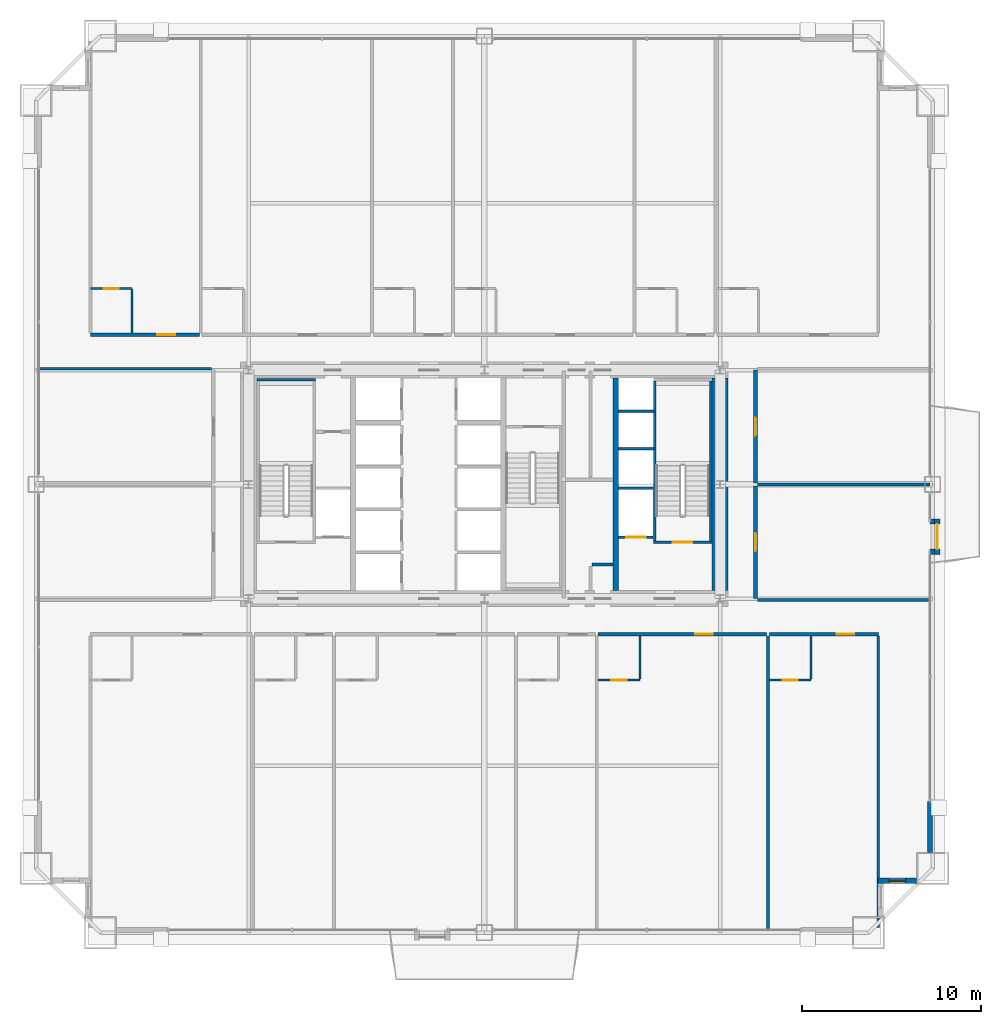
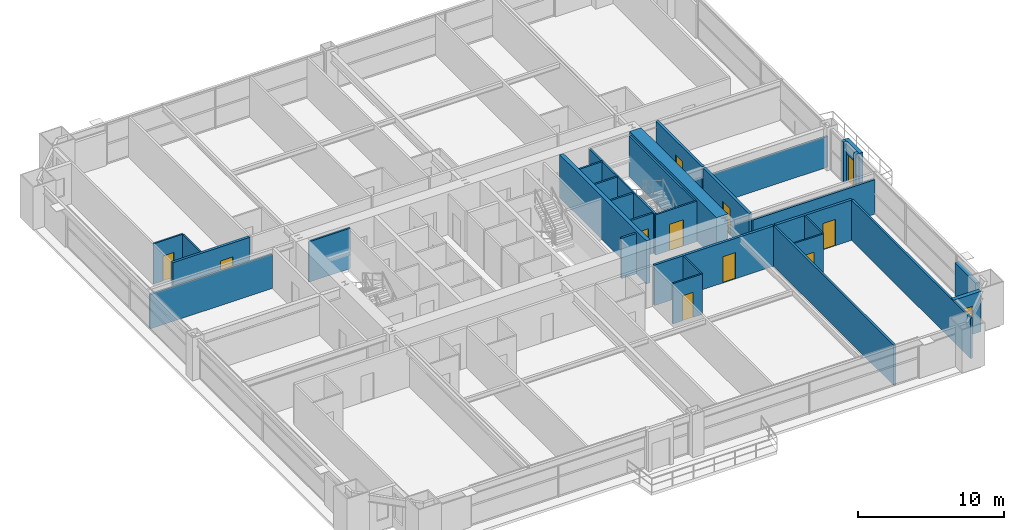
# One storey, part 40 of 43: 32 walls, 11 doors, 1 window, 12 openings.
"""IFC4 building model written with IfcOpenShell, lengths in metres."""

from ifc_helpers import new_model, si_unit, direction, frame, frame_2d, origin, place, context, subcontext, project, spatial, rectangle, extrude, source, transform, mapped, material, layer, layer_set, type_object, element, fill, save


model = new_model("IFC4")

# Units and contexts
model_context = context("Model", 3, precision=1e-05, world=origin(), true_north=direction((0.0, 1.0)))
body_context = subcontext(model_context, "Body", "Model", "MODEL_VIEW")
ifc_project = project(units=[si_unit("LENGTHUNIT", "METRE"), si_unit("AREAUNIT", "SQUARE_METRE"), si_unit("VOLUMEUNIT", "CUBIC_METRE"), si_unit("PLANEANGLEUNIT", "RADIAN"), si_unit("MASSUNIT", "GRAM", prefix="KILO"), si_unit("THERMODYNAMICTEMPERATUREUNIT", "KELVIN"), si_unit("POWERUNIT", "WATT")], contexts=[model_context])

# Site, building, storey
site_placement = place(None, origin())
site = spatial("IfcSite", under=ifc_project, at=site_placement, CompositionType="ELEMENT")
building_placement = place(site_placement, origin())
building = spatial("IfcBuilding", under=site, at=building_placement, Name="Yuzanri Waterfront Tower", CompositionType="ELEMENT")
storey_placement = place(building_placement, frame((0.0, 0.0, 71.199951171875)))
storey = spatial("IfcBuildingStorey", under=building, at=storey_placement, Name="L18", CompositionType="ELEMENT", Elevation=71.199951171875)

# Wall, opening, door
ifc_material_1 = material(Name="Moisture-Resistant Gypsum Stud Wall", Category="gypsum")
ifc_layer_1 = layer(ifc_material_1, 0.1201171875)
ifc_layer_set_1 = layer_set([ifc_layer_1], Name="Moisture-Resistant Gypsum Stud Wall")
wall_type_1 = type_object("IfcWallType", Name="Bathroom and Kitchen Wet Partition 120", PredefinedType="PARTITIONING", material=ifc_layer_set_1)
wall_1_placement = place(storey_placement, frame((43.3740234375, 14.840087890625, 0.0), z_axis=(0.0, 0.0, 1.0), x_axis=(1.0, 0.0, 0.0)))
wall_1 = element("IfcWall", 1, at=wall_1_placement, inside=storey, type_object=wall_type_1, Name="L18 Partition UW-L18-S5-BS", PredefinedType="PARTITIONING", context=body_context, shape_type="SweptSolid", body=[
    extrude(rectangle(XDim=2.330078125, YDim=0.1201171875, at=frame_2d((1.1650390625, 0.0))), origin(), (0.0, 0.0, 1.0), 3.380126953125),
])
opening_1_placement = place(wall_1_placement, frame((0.739990234375, 0.0, 0.0)))
opening_1 = element("IfcOpeningElement", 2, at=opening_1_placement, cuts=wall_1, Name="Opening ID-0850", PredefinedType="OPENING", context=body_context, shape_type="SweptSolid", body=[
    extrude(rectangle(XDim=0.85009765625, YDim=2.10009765625, at=frame_2d((0.425048828125, 1.050048828125))), frame((0.0, 0.074951171875, 0.0), z_axis=(0.0, -1.0, 0.0), x_axis=(1.0, 0.0, 0.0)), (0.0, 0.0, 1.0), 0.14990234375),
])
ifc_material_2 = material(Name="Moisture-Resistant Lacquered Timber", Category="wood")
door_type_1 = type_object("IfcDoorType", Name="En-Suite Bathroom and Kitchen Swing Door 850x2100", OperationType="NOTDEFINED", PredefinedType="DOOR", material=ifc_material_2)
shared_shape_1 = source(origin(), body_context, "Body", "SweptSolid", [
    extrude(rectangle(XDim=0.85009765625, YDim=2.10009765625, at=frame_2d((0.425048828125, 1.050048828125))), frame((0.0, 0.02490234375, 0.0), z_axis=(0.0, -1.0, 0.0), x_axis=(1.0, 0.0, 0.0)), (0.0, 0.0, 1.0), 0.050048828125),
])
door_1_placement = place(opening_1_placement, origin())
door_1 = element("IfcDoor", 3, at=door_1_placement, inside=storey, type_object=door_type_1, Name="L18 Guest En-Suite Door", OperationType="SINGLE_SWING_LEFT", OverallHeight=2.10009765625, OverallWidth=0.85009765625, PredefinedType="DOOR", context=body_context, shape_type="MappedRepresentation", body=[
    mapped(shared_shape_1, transform((0.0, 0.0, 0.0), scale=1.0)),
])
fill(opening_1, door_1)

wall_2_placement = place(storey_placement, frame((52.962890625, 14.840087890625, 0.0), z_axis=(0.0, 0.0, 1.0), x_axis=(1.0, 0.0, 0.0)))
wall_2 = element("IfcWall", 4, at=wall_2_placement, inside=storey, type_object=wall_type_1, Name="L18 Partition UW-L18-S6-BS", PredefinedType="PARTITIONING", context=body_context, shape_type="SweptSolid", body=[
    extrude(rectangle(XDim=2.330078125, YDim=0.1201171875, at=frame_2d((1.1650390625, 0.0))), origin(), (0.0, 0.0, 1.0), 3.380126953125),
])
opening_2_placement = place(wall_2_placement, frame((0.739990234375, 0.0, 0.0)))
opening_2 = element("IfcOpeningElement", 5, at=opening_2_placement, cuts=wall_2, Name="Opening ID-0850", PredefinedType="OPENING", context=body_context, shape_type="SweptSolid", body=[
    extrude(rectangle(XDim=0.85009765625, YDim=2.10009765625, at=frame_2d((0.425048828125, 1.050048828125))), frame((0.0, 0.074951171875, 0.0), z_axis=(0.0, -1.0, 0.0), x_axis=(1.0, 0.0, 0.0)), (0.0, 0.0, 1.0), 0.14990234375),
])
door_2_placement = place(opening_2_placement, origin())
door_2 = element("IfcDoor", 6, at=door_2_placement, inside=storey, type_object=door_type_1, Name="L18 Guest En-Suite Door", OperationType="SINGLE_SWING_LEFT", OverallHeight=2.10009765625, OverallWidth=0.85009765625, PredefinedType="DOOR", context=body_context, shape_type="MappedRepresentation", body=[
    mapped(shared_shape_1, transform((0.0, 0.0, 0.0), scale=1.0)),
])
fill(opening_2, door_2)

wall_3_placement = place(storey_placement, frame((14.93994140625, 36.760009765625, 0.0), z_axis=(0.0, 0.0, 1.0), x_axis=(1.0, 0.0, 0.0)))
wall_3 = element("IfcWall", 7, at=wall_3_placement, inside=storey, type_object=wall_type_1, Name="L18 Partition UW-L18-N1-BN", PredefinedType="PARTITIONING", context=body_context, shape_type="SweptSolid", body=[
    extrude(rectangle(XDim=2.330078125, YDim=0.1201171875, at=frame_2d((1.1650390625, 0.0))), origin(), (0.0, 0.0, 1.0), 3.380126953125),
])
opening_3_placement = place(wall_3_placement, frame((0.739990234375, 0.0, 0.0)))
opening_3 = element("IfcOpeningElement", 8, at=opening_3_placement, cuts=wall_3, Name="Opening ID-0850", PredefinedType="OPENING", context=body_context, shape_type="SweptSolid", body=[
    extrude(rectangle(XDim=0.85009765625, YDim=2.10009765625, at=frame_2d((0.425048828125, 1.050048828125))), frame((0.0, 0.074951171875, 0.0), z_axis=(0.0, -1.0, 0.0), x_axis=(1.0, 0.0, 0.0)), (0.0, 0.0, 1.0), 0.14990234375),
])
door_3_placement = place(opening_3_placement, origin())
door_3 = element("IfcDoor", 9, at=door_3_placement, inside=storey, type_object=door_type_1, Name="L18 Guest En-Suite Door", OperationType="SINGLE_SWING_LEFT", OverallHeight=2.10009765625, OverallWidth=0.85009765625, PredefinedType="DOOR", context=body_context, shape_type="MappedRepresentation", body=[
    mapped(shared_shape_1, transform((0.0, 0.0, 0.0), scale=1.0)),
])
fill(opening_3, door_3)

# Wall, opening, window
ifc_material_3 = material(Name="Honed Chongqing Dark Basalt Stone", Category="masonry")
ifc_layer_2 = layer(ifc_material_3, 0.300048828125)
ifc_layer_set_2 = layer_set([ifc_layer_2], Name="Honed Chongqing Dark Basalt Stone")
wall_type_2 = type_object("IfcWallType", Name="Bronze Rainscreen Insulated Spandrel Portal Wall 300", PredefinedType="SOLIDWALL", material=ifc_layer_set_2)
wall_4_placement = place(storey_placement, frame((59.050048828125, 3.60009765625, 0.0), z_axis=(0.0, 0.0, 1.0), x_axis=(1.0, 0.0, 0.0)))
wall_4 = element("IfcWall", 10, at=wall_4_placement, inside=storey, type_object=wall_type_2, Name="L18 Notched Corner Masonry Wall SE-X", PredefinedType="SOLIDWALL", context=body_context, shape_type="SweptSolid", body=[
    extrude(rectangle(XDim=2.14990234375, YDim=0.300048828125, at=frame_2d((1.074951171875, 0.0))), origin(), (0.0, 0.0, 1.0), 3.380126953125),
])
opening_4_placement = place(wall_4_placement, frame((0.625, 0.0, 0.85009765625)))
opening_4 = element("IfcOpeningElement", 11, at=opening_4_placement, cuts=wall_4, Name="Opening WN-05", PredefinedType="OPENING", context=body_context, shape_type="SweptSolid", body=[
    extrude(rectangle(XDim=0.89990234375, YDim=1.5, at=frame_2d((0.449951171875, 0.75))), frame((0.0, 0.1650390625, 0.0), z_axis=(0.0, -1.0, 0.0), x_axis=(1.0, 0.0, 0.0)), (0.0, 0.0, 1.0), 0.329833984375),
])
ifc_material_4 = material(Name="Double-Silver Low-E Insulated Glass", Category="glass")
window_type = type_object("IfcWindowType", Name="Anodized Bronze Service and Stairwell Smoke-Vent Window 900x1500", PartitioningType="SINGLE_PANEL", PredefinedType="WINDOW", material=ifc_material_4)
shared_shape_2 = source(origin(), body_context, "Body", "SweptSolid", [
    extrude(rectangle(XDim=0.89990234375, YDim=1.5, at=frame_2d((0.449951171875, 0.75))), frame((0.0, 0.030029296875, 0.0), z_axis=(0.0, -1.0, 0.0), x_axis=(1.0, 0.0, 0.0)), (0.0, 0.0, 1.0), 0.06005859375),
])
window_placement = place(opening_4_placement, origin())
window = element("IfcWindow", 12, at=window_placement, inside=storey, type_object=window_type, Name="L18 Notched Corner Window SE-X", OverallHeight=1.5, OverallWidth=0.89990234375, PartitioningType="SINGLE_PANEL", PredefinedType="WINDOW", context=body_context, shape_type="MappedRepresentation", body=[
    mapped(shared_shape_2, transform((0.0, 0.0, 0.0), scale=1.0)),
])
fill(opening_4, window)

# Wall, opening, door
wall_5_placement = place(storey_placement, frame((62.35009765625, 21.875, 0.0), z_axis=(0.0, 0.0, 1.0), x_axis=(0.0, 1.0, 0.0)))
wall_5 = element("IfcWall", 13, at=wall_5_placement, inside=storey, type_object=wall_type_2, Name="L18 E Terrace Door Portal Wall", PredefinedType="SOLIDWALL", context=body_context, shape_type="SweptSolid", body=[
    extrude(rectangle(XDim=2.0, YDim=0.300048828125, at=frame_2d((1.0, 0.0))), origin(), (0.0, 0.0, 1.0), 3.380126953125),
])
opening_5_placement = place(wall_5_placement, frame((0.300048828125, 0.0, 0.0)))
opening_5 = element("IfcOpeningElement", 14, at=opening_5_placement, cuts=wall_5, Name="Opening TD-1400", PredefinedType="OPENING", context=body_context, shape_type="SweptSolid", body=[
    extrude(rectangle(XDim=1.39990234375, YDim=2.300048828125, at=frame_2d((0.699951171875, 1.14990234375))), frame((0.0, 0.1650390625, 0.0), z_axis=(0.0, -1.0, 0.0), x_axis=(1.0, 0.0, 0.0)), (0.0, 0.0, 1.0), 0.329833984375),
])
ifc_material_5 = material(Name="Anodized Architectural Bronze", Category="metal")
door_type_2 = type_object("IfcDoorType", Name="Anodized Bronze Balcony and Terrace Glazed Double Door 1400x2300", OperationType="NOTDEFINED", PredefinedType="DOOR", material=ifc_material_5)
shared_shape_3 = source(origin(), body_context, "Body", "SweptSolid", [
    extrude(rectangle(XDim=1.39990234375, YDim=2.300048828125, at=frame_2d((0.699951171875, 1.14990234375))), frame((0.0, 0.02490234375, 0.0), z_axis=(0.0, -1.0, 0.0), x_axis=(1.0, 0.0, 0.0)), (0.0, 0.0, 1.0), 0.050048828125),
])
door_4_placement = place(opening_5_placement, origin())
door_4 = element("IfcDoor", 15, at=door_4_placement, inside=storey, type_object=door_type_2, Name="L18 E Terrace Glazed Double Door", OperationType="DOUBLE_DOOR_SINGLE_SWING", OverallHeight=2.300048828125, OverallWidth=1.39990234375, PredefinedType="DOOR", context=body_context, shape_type="MappedRepresentation", body=[
    mapped(shared_shape_3, transform((0.0, 0.0, 0.0), scale=1.0)),
])
fill(opening_5, door_4)

ifc_material_6 = material(Name="Concrete C40", Category="concrete")
ifc_layer_3 = layer(ifc_material_6, 0.139892578125)
ifc_layer_set_3 = layer_set([ifc_layer_3], Name="Concrete C40")
wall_type_3 = type_object("IfcWallType", Name="Core Stair Liner and Hoistway Shaft Wall 140", PredefinedType="SOLIDWALL", material=ifc_layer_set_3)
wall_6_placement = place(storey_placement, frame((44.52001953125, 22.830078125, 0.0), z_axis=(0.0, 0.0, 1.0), x_axis=(1.0, 0.0, 0.0)))
wall_6 = element("IfcWall", 16, at=wall_6_placement, inside=storey, type_object=wall_type_3, Name="L18 Lift FL-02 Front Shaft Wall", PredefinedType="SOLIDWALL", context=body_context, shape_type="SweptSolid", body=[
    extrude(rectangle(XDim=1.919921875, YDim=0.139892578125, at=frame_2d((0.9599609375, 0.0))), origin(), (0.0, 0.0, 1.0), 3.380126953125),
])
opening_6_placement = place(wall_6_placement, frame((0.409912109375, 0.0, 0.0)))
opening_6 = element("IfcOpeningElement", 17, at=opening_6_placement, cuts=wall_6, Name="Opening LD-FL-02", PredefinedType="OPENING", context=body_context, shape_type="SweptSolid", body=[
    extrude(rectangle(XDim=1.10009765625, YDim=2.199951171875, at=frame_2d((0.550048828125, 1.10009765625))), frame((0.0, 0.0849609375, 0.0), z_axis=(0.0, -1.0, 0.0), x_axis=(1.0, 0.0, 0.0)), (0.0, 0.0, 1.0), 0.169677734375),
])
ifc_material_7 = material(Name="Brushed Bronze and Stainless Steel Cab", Category="steel")
door_type_3 = type_object("IfcDoorType", Name="Center-Parting Bronze Lift Landing Sliding Door 1100x2200", OperationType="NOTDEFINED", PredefinedType="DOOR", material=ifc_material_7)
shared_shape_4 = source(origin(), body_context, "Body", "SweptSolid", [
    extrude(rectangle(XDim=1.10009765625, YDim=2.199951171875, at=frame_2d((0.550048828125, 1.10009765625))), frame((0.0, 0.02490234375, 0.0), z_axis=(0.0, -1.0, 0.0), x_axis=(1.0, 0.0, 0.0)), (0.0, 0.0, 1.0), 0.050048828125),
])
door_5_placement = place(opening_6_placement, origin())
door_5 = element("IfcDoor", 18, at=door_5_placement, inside=storey, type_object=door_type_3, Name="L18 FL-02 Lift Landing Sliding Door", OperationType="SLIDING_TO_RIGHT", OverallHeight=2.199951171875, OverallWidth=1.10009765625, PredefinedType="DOOR", context=body_context, shape_type="MappedRepresentation", body=[
    mapped(shared_shape_4, transform((0.0, 0.0, 0.0), scale=1.0)),
])
fill(opening_6, door_5)

wall_7_placement = place(storey_placement, frame((46.4599609375, 22.570068359375, 0.0), z_axis=(0.0, 0.0, 1.0), x_axis=(1.0, 0.0, 0.0)))
wall_7 = element("IfcWall", 19, at=wall_7_placement, inside=storey, type_object=wall_type_3, Name="L18 Shaft Wall STW-L18-ST-02-S", PredefinedType="SOLIDWALL", context=body_context, shape_type="SweptSolid", body=[
    extrude(rectangle(XDim=3.280029296875, YDim=0.139892578125, at=frame_2d((1.64013671875, 0.0))), origin(), (0.0, 0.0, 1.0), 3.380126953125),
])
opening_7_placement = place(wall_7_placement, frame((1.090087890625, 0.0, 0.0)))
opening_7 = element("IfcOpeningElement", 20, at=opening_7_placement, cuts=wall_7, Name="Opening FD-1100", PredefinedType="OPENING", context=body_context, shape_type="SweptSolid", body=[
    extrude(rectangle(XDim=1.10009765625, YDim=2.199951171875, at=frame_2d((0.550048828125, 1.10009765625))), frame((0.0, 0.0849609375, 0.0), z_axis=(0.0, -1.0, 0.0), x_axis=(1.0, 0.0, 0.0)), (0.0, 0.0, 1.0), 0.169677734375),
])
ifc_material_8 = material(Name="Painted Galvanized Fire Steel", Category="steel")
door_type_4 = type_object("IfcDoorType", Name="Smoke-Proof Stair and Lobby Fire Door 1100x2200", OperationType="NOTDEFINED", PredefinedType="DOOR", material=ifc_material_8)
shared_shape_5 = source(origin(), body_context, "Body", "SweptSolid", [
    extrude(rectangle(XDim=1.10009765625, YDim=2.199951171875, at=frame_2d((0.550048828125, 1.10009765625))), frame((0.0, 0.02490234375, 0.0), z_axis=(0.0, -1.0, 0.0), x_axis=(1.0, 0.0, 0.0)), (0.0, 0.0, 1.0), 0.050048828125),
])
door_6_placement = place(opening_7_placement, origin())
door_6 = element("IfcDoor", 21, at=door_6_placement, inside=storey, type_object=door_type_4, Name="L18 Stair ST-02 Fire Door", OperationType="SINGLE_SWING_LEFT", OverallHeight=2.199951171875, OverallWidth=1.10009765625, PredefinedType="DOOR", context=body_context, shape_type="MappedRepresentation", body=[
    mapped(shared_shape_5, transform((0.0, 0.0, 0.0), scale=1.0)),
])
fill(opening_7, door_6)

ifc_material_9 = material(Name="Autoclaved Aerated Concrete Blockwork", Category="masonry")
ifc_layer_4 = layer(ifc_material_9, 0.199951171875)
ifc_layer_set_4 = layer_set([ifc_layer_4], Name="Autoclaved Aerated Concrete Blockwork")
wall_type_4 = type_object("IfcWallType", Name="Corridor and Unit Party Fire Wall 200", PredefinedType="PARTITIONING", material=ifc_layer_set_4)
wall_8_placement = place(storey_placement, frame((43.3740234375, 17.419921875, 0.0), z_axis=(0.0, 0.0, 1.0), x_axis=(1.0, 0.0, 0.0)))
wall_8 = element("IfcWall", 22, at=wall_8_placement, inside=storey, type_object=wall_type_4, Name="L18 Partition UW-L18-S5-CN", PredefinedType="PARTITIONING", context=body_context, shape_type="SweptSolid", body=[
    extrude(rectangle(XDim=9.428955078125, YDim=0.199951171875, at=frame_2d((4.71435546875, 0.0))), origin(), (0.0, 0.0, 1.0), 3.380126953125),
])
opening_8_placement = place(wall_8_placement, frame((5.4189453125, 0.0, 0.0)))
opening_8 = element("IfcOpeningElement", 23, at=opening_8_placement, cuts=wall_8, Name="Opening FD-1000", PredefinedType="OPENING", context=body_context, shape_type="SweptSolid", body=[
    extrude(rectangle(XDim=1.0, YDim=2.199951171875, at=frame_2d((0.5, 1.10009765625))), frame((0.0, 0.11474609375, 0.0), z_axis=(0.0, -1.0, 0.0), x_axis=(1.0, 0.0, 0.0)), (0.0, 0.0, 1.0), 0.229736328125),
])
ifc_material_10 = material(Name="Engineered Oak Fire-Rated Timber", Category="wood")
door_type_5 = type_object("IfcDoorType", Name="Guestroom and Apartment Entrance Fire Door 1000x2200", OperationType="NOTDEFINED", PredefinedType="DOOR", material=ifc_material_10)
shared_shape_6 = source(origin(), body_context, "Body", "SweptSolid", [
    extrude(rectangle(XDim=1.0, YDim=2.199951171875, at=frame_2d((0.5, 1.10009765625))), frame((0.0, 0.02490234375, 0.0), z_axis=(0.0, -1.0, 0.0), x_axis=(1.0, 0.0, 0.0)), (0.0, 0.0, 1.0), 0.050048828125),
])
door_7_placement = place(opening_8_placement, origin())
door_7 = element("IfcDoor", 24, at=door_7_placement, inside=storey, type_object=door_type_5, Name="L18 Junior Riverview Suite Entrance Door", OperationType="SINGLE_SWING_RIGHT", OverallHeight=2.199951171875, OverallWidth=1.0, PredefinedType="DOOR", context=body_context, shape_type="MappedRepresentation", body=[
    mapped(shared_shape_6, transform((0.0, 0.0, 0.0), scale=1.0)),
])
fill(opening_8, door_7)

wall_9_placement = place(storey_placement, frame((52.962890625, 17.419921875, 0.0), z_axis=(0.0, 0.0, 1.0), x_axis=(1.0, 0.0, 0.0)))
wall_9 = element("IfcWall", 25, at=wall_9_placement, inside=storey, type_object=wall_type_4, Name="L18 Partition UW-L18-S6-CN", PredefinedType="PARTITIONING", context=body_context, shape_type="SweptSolid", body=[
    extrude(rectangle(XDim=6.09716796875, YDim=0.199951171875, at=frame_2d((3.048583984375, 0.0))), origin(), (0.0, 0.0, 1.0), 3.380126953125),
])
opening_9_placement = place(wall_9_placement, frame((3.7529296875, 0.0, 0.0)))
opening_9 = element("IfcOpeningElement", 26, at=opening_9_placement, cuts=wall_9, Name="Opening FD-1000", PredefinedType="OPENING", context=body_context, shape_type="SweptSolid", body=[
    extrude(rectangle(XDim=1.0, YDim=2.199951171875, at=frame_2d((0.5, 1.10009765625))), frame((0.0, 0.11474609375, 0.0), z_axis=(0.0, -1.0, 0.0), x_axis=(1.0, 0.0, 0.0)), (0.0, 0.0, 1.0), 0.229736328125),
])
door_8_placement = place(opening_9_placement, origin())
door_8 = element("IfcDoor", 27, at=door_8_placement, inside=storey, type_object=door_type_5, Name="L18 Junior Riverview Suite Entrance Door", OperationType="SINGLE_SWING_RIGHT", OverallHeight=2.199951171875, OverallWidth=1.0, PredefinedType="DOOR", context=body_context, shape_type="MappedRepresentation", body=[
    mapped(shared_shape_6, transform((0.0, 0.0, 0.0), scale=1.0)),
])
fill(opening_9, door_8)

wall_10_placement = place(storey_placement, frame((14.93994140625, 34.179931640625, 0.0), z_axis=(0.0, 0.0, 1.0), x_axis=(1.0, 0.0, 0.0)))
wall_10 = element("IfcWall", 28, at=wall_10_placement, inside=storey, type_object=wall_type_4, Name="L18 Partition UW-L18-N1-CS", PredefinedType="PARTITIONING", context=body_context, shape_type="SweptSolid", body=[
    extrude(rectangle(XDim=6.09716796875, YDim=0.199951171875, at=frame_2d((3.048583984375, 0.0))), origin(), (0.0, 0.0, 1.0), 3.380126953125),
])
opening_10_placement = place(wall_10_placement, frame((3.75390625, 0.0, 0.0)))
opening_10 = element("IfcOpeningElement", 29, at=opening_10_placement, cuts=wall_10, Name="Opening FD-1000", PredefinedType="OPENING", context=body_context, shape_type="SweptSolid", body=[
    extrude(rectangle(XDim=1.0, YDim=2.199951171875, at=frame_2d((0.5, 1.10009765625))), frame((0.0, 0.11474609375, 0.0), z_axis=(0.0, -1.0, 0.0), x_axis=(1.0, 0.0, 0.0)), (0.0, 0.0, 1.0), 0.229736328125),
])
door_9_placement = place(opening_10_placement, origin())
door_9 = element("IfcDoor", 30, at=door_9_placement, inside=storey, type_object=door_type_5, Name="L18 Superior Cityview Junior Suite Entrance Door", OperationType="SINGLE_SWING_RIGHT", OverallHeight=2.199951171875, OverallWidth=1.0, PredefinedType="DOOR", context=body_context, shape_type="MappedRepresentation", body=[
    mapped(shared_shape_6, transform((0.0, 0.0, 0.0), scale=1.0)),
])
fill(opening_10, door_9)

wall_11_placement = place(storey_placement, frame((52.179931640625, 19.409912109375, 0.0), z_axis=(0.0, 0.0, 1.0), x_axis=(0.0, 1.0, 0.0)))
wall_11 = element("IfcWall", 31, at=wall_11_placement, inside=storey, type_object=wall_type_4, Name="L18 Partition UW-L18-E1-CW", PredefinedType="PARTITIONING", context=body_context, shape_type="SweptSolid", body=[
    extrude(rectangle(XDim=6.31005859375, YDim=0.199951171875, at=frame_2d((3.155029296875, 0.0))), origin(), (0.0, 0.0, 1.0), 3.380126953125),
])
opening_11_placement = place(wall_11_placement, frame((2.655029296875, 0.0, 0.0)))
opening_11 = element("IfcOpeningElement", 32, at=opening_11_placement, cuts=wall_11, Name="Opening FD-1000", PredefinedType="OPENING", context=body_context, shape_type="SweptSolid", body=[
    extrude(rectangle(XDim=1.0, YDim=2.199951171875, at=frame_2d((0.5, 1.10009765625))), frame((0.0, 0.11474609375, 0.0), z_axis=(0.0, -1.0, 0.0), x_axis=(1.0, 0.0, 0.0)), (0.0, 0.0, 1.0), 0.229736328125),
])
door_10_placement = place(opening_11_placement, origin())
door_10 = element("IfcDoor", 33, at=door_10_placement, inside=storey, type_object=door_type_5, Name="L18 Wellness Gym Studio Entrance Door", OperationType="SINGLE_SWING_RIGHT", OverallHeight=2.199951171875, OverallWidth=1.0, PredefinedType="DOOR", context=body_context, shape_type="MappedRepresentation", body=[
    mapped(shared_shape_6, transform((0.0, 0.0, 0.0), scale=1.0)),
])
fill(opening_11, door_10)

wall_12_placement = place(storey_placement, frame((52.179931640625, 25.8798828125, 0.0), z_axis=(0.0, 0.0, 1.0), x_axis=(0.0, 1.0, 0.0)))
wall_12 = element("IfcWall", 34, at=wall_12_placement, inside=storey, type_object=wall_type_4, Name="L18 Partition UW-L18-E2-CW", PredefinedType="PARTITIONING", context=body_context, shape_type="SweptSolid", body=[
    extrude(rectangle(XDim=6.31005859375, YDim=0.199951171875, at=frame_2d((3.155029296875, 0.0))), origin(), (0.0, 0.0, 1.0), 3.380126953125),
])
opening_12_placement = place(wall_12_placement, frame((2.655029296875, 0.0, 0.0)))
opening_12 = element("IfcOpeningElement", 35, at=opening_12_placement, cuts=wall_12, Name="Opening FD-1000", PredefinedType="OPENING", context=body_context, shape_type="SweptSolid", body=[
    extrude(rectangle(XDim=1.0, YDim=2.199951171875, at=frame_2d((0.5, 1.10009765625))), frame((0.0, 0.11474609375, 0.0), z_axis=(0.0, -1.0, 0.0), x_axis=(1.0, 0.0, 0.0)), (0.0, 0.0, 1.0), 0.229736328125),
])
door_11_placement = place(opening_12_placement, origin())
door_11 = element("IfcDoor", 36, at=door_11_placement, inside=storey, type_object=door_type_5, Name="L18 Pilates Gym Studio Entrance Door", OperationType="SINGLE_SWING_LEFT", OverallHeight=2.199951171875, OverallWidth=1.0, PredefinedType="DOOR", context=body_context, shape_type="MappedRepresentation", body=[
    mapped(shared_shape_6, transform((0.0, 0.0, 0.0), scale=1.0)),
])
fill(opening_12, door_11)

# Walls
ifc_material_11 = material(Name="Concrete C60", Category="concrete")
ifc_layer_5 = layer(ifc_material_11, 0.89990234375)
ifc_layer_set_5 = layer_set([ifc_layer_5], Name="Concrete C60")
wall_type_5 = type_object("IfcWallType", Name="Concrete C60 Lower Zone Core Shear Wall 900", PredefinedType="SHEAR", material=ifc_layer_set_5)
shared_shape_7 = source(origin(), body_context, "Body", "SweptSolid", [
    extrude(rectangle(XDim=11.89990234375, YDim=0.89990234375, at=frame_2d((5.949951171875, 0.0))), origin(), (0.0, 0.0, 1.0), 3.60009765625),
])
wall_13_placement = place(storey_placement, frame((50.199951171875, 19.85009765625, 0.0), z_axis=(0.0, 0.0, 1.0), x_axis=(0.0, 1.0, 0.0)))
element("IfcWall", 37, at=wall_13_placement, inside=storey, type_object=wall_type_5, Name="L18 Core East Shear Wall", PredefinedType="SHEAR", context=body_context, shape_type="MappedRepresentation", body=[
    mapped(shared_shape_7, transform((0.0, 0.0, 0.0), scale=1.0)),
])
ifc_material_12 = material(Name="Concrete C50", Category="concrete")
ifc_layer_6 = layer(ifc_material_12, 0.300048828125)
ifc_layer_set_6 = layer_set([ifc_layer_6], Name="Concrete C50")
wall_type_6 = type_object("IfcWallType", Name="Concrete C50 Internal Core Shaft Structural Wall 300", PredefinedType="SOLIDWALL", material=ifc_layer_set_6)
shared_shape_8 = source(origin(), body_context, "Body", "SweptSolid", [
    extrude(rectangle(XDim=11.89990234375, YDim=0.300048828125, at=frame_2d((5.949951171875, 0.0))), origin(), (0.0, 0.0, 1.0), 3.60009765625),
])
wall_14_placement = place(storey_placement, frame((44.35009765625, 19.85009765625, 0.0), z_axis=(0.0, 0.0, 1.0), x_axis=(0.0, 1.0, 0.0)))
element("IfcWall", 38, at=wall_14_placement, inside=storey, type_object=wall_type_6, Name="L18 Core Internal Structural Web Wall 3", PredefinedType="SOLIDWALL", context=body_context, shape_type="MappedRepresentation", body=[
    mapped(shared_shape_8, transform((0.0, 0.0, 0.0), scale=1.0)),
])
shared_shape_9 = source(origin(), body_context, "Body", "SweptSolid", [
    extrude(rectangle(XDim=2.85009765625, YDim=0.300048828125, at=frame_2d((1.425048828125, 0.0))), origin(), (0.0, 0.0, 1.0), 2.775146484375),
])
wall_15_placement = place(storey_placement, frame((61.949951171875, 5.199951171875, 0.0), z_axis=(0.0, 0.0, 1.0), x_axis=(0.0, 1.0, 0.0)))
element("IfcWall", 39, at=wall_15_placement, inside=storey, type_object=wall_type_2, Name="L18 E Left Braced Masonry Shoulder", PredefinedType="SOLIDWALL", context=body_context, shape_type="MappedRepresentation", body=[
    mapped(shared_shape_9, transform((0.0, 0.0, 0.0), scale=1.0)),
])
shared_shape_10 = source(origin(), body_context, "Body", "SweptSolid", [
    extrude(rectangle(XDim=0.25, YDim=0.300048828125, at=frame_2d((0.125, 0.0))), origin(), (0.0, 0.0, 1.0), 3.380126953125),
])
for number, where, z_axis, x_axis, name in (
    (40, (61.949951171875, 22.02490234375, 0.0), (0.0, 0.0, 1.0), (1.0, 0.0, 0.0), "L18 E Terrace Portal Left Return"),
    (41, (62.199951171875, 23.72509765625, 0.0), (0.0, 0.0, 1.0), (-1.0, 0.0, 0.0), "L18 E Terrace Portal Right Return"),
):
    element("IfcWall", number, at=place(storey_placement, frame(where, z_axis=z_axis, x_axis=x_axis)), inside=storey, type_object=wall_type_2, Name=name, PredefinedType="SOLIDWALL", context=body_context, shape_type="MappedRepresentation", body=[
        mapped(shared_shape_10, transform((0.0, 0.0, 0.0), scale=1.0)),
    ])
shared_shape_11 = source(origin(), body_context, "Body", "SweptSolid", [
    extrude(rectangle(XDim=1.919921875, YDim=0.139892578125, at=frame_2d((0.9599609375, 0.0))), origin(), (0.0, 0.0, 1.0), 3.380126953125),
])
wall_16_placement = place(storey_placement, frame((44.52001953125, 25.570068359375, 0.0), z_axis=(0.0, 0.0, 1.0), x_axis=(1.0, 0.0, 0.0)))
element("IfcWall", 42, at=wall_16_placement, inside=storey, type_object=wall_type_3, Name="L18 Lift FL-02 Back Shaft Wall", PredefinedType="SOLIDWALL", context=body_context, shape_type="MappedRepresentation", body=[
    mapped(shared_shape_11, transform((0.0, 0.0, 0.0), scale=1.0)),
])
shared_shape_12 = source(origin(), body_context, "Body", "SweptSolid", [
    extrude(rectangle(XDim=2.0, YDim=0.139892578125, at=frame_2d((1.0, 0.0))), origin(), (0.0, 0.0, 1.0), 3.380126953125),
])
for number, where, z_axis, x_axis, name in (
    (43, (44.5, 27.800048828125, 0.0), (0.0, 0.0, 1.0), (1.0, 0.0, 0.0), "L18 Lift PL-09 Divider Wall"),
    (44, (44.5, 29.89990234375, 0.0), (0.0, 0.0, 1.0), (1.0, 0.0, 0.0), "L18 Lift PL-10 Divider Wall"),
):
    element("IfcWall", number, at=place(storey_placement, frame(where, z_axis=z_axis, x_axis=x_axis)), inside=storey, type_object=wall_type_3, Name=name, PredefinedType="SOLIDWALL", context=body_context, shape_type="MappedRepresentation", body=[
        mapped(shared_shape_12, transform((0.0, 0.0, 0.0), scale=1.0)),
    ])
ifc_material_13 = material(Name="Gypsum Fireboard Acoustic Stud Wall", Category="gypsum")
ifc_layer_7 = layer(ifc_material_13, 0.159912109375)
ifc_layer_set_7 = layer_set([ifc_layer_7], Name="Gypsum Fireboard Acoustic Stud Wall")
wall_type_7 = type_object("IfcWallType", Name="Acoustic Suite Demising Partition 160", PredefinedType="PARTITIONING", material=ifc_layer_set_7)
shared_shape_13 = source(origin(), body_context, "Body", "SweptSolid", [
    extrude(rectangle(XDim=9.669921875, YDim=0.159912109375, at=frame_2d((4.8349609375, 0.0))), origin(), (0.0, 0.0, 1.0), 2.574951171875),
])
wall_17_placement = place(storey_placement, frame((52.280029296875, 25.800048828125, 0.0), z_axis=(0.0, 0.0, 1.0), x_axis=(1.0, 0.0, 0.0)))
element("IfcWall", 45, at=wall_17_placement, inside=storey, type_object=wall_type_7, Name="L18-E1 Wing Party Wall", PredefinedType="PARTITIONING", context=body_context, shape_type="MappedRepresentation", body=[
    mapped(shared_shape_13, transform((0.0, 0.0, 0.0), scale=1.0)),
])
shared_shape_14 = source(origin(), body_context, "Body", "SweptSolid", [
    extrude(rectangle(XDim=9.669921875, YDim=0.159912109375, at=frame_2d((4.8349609375, 0.0))), origin(), (0.0, 0.0, 1.0), 2.875),
])
for number, where, z_axis, x_axis, name in (
    (46, (12.050048828125, 32.27001953125, 0.0), (0.0, 0.0, 1.0), (1.0, 0.0, 0.0), "L18-W2 Wing North End Wall"),
    (47, (52.280029296875, 19.330078125, 0.0), (0.0, 0.0, 1.0), (1.0, 0.0, 0.0), "L18-E1 Wing South End Wall"),
):
    element("IfcWall", number, at=place(storey_placement, frame(where, z_axis=z_axis, x_axis=x_axis)), inside=storey, type_object=wall_type_7, Name=name, PredefinedType="PARTITIONING", context=body_context, shape_type="MappedRepresentation", body=[
        mapped(shared_shape_14, transform((0.0, 0.0, 0.0), scale=1.0)),
    ])
shared_shape_15 = source(origin(), body_context, "Body", "SweptSolid", [
    extrude(rectangle(XDim=3.280029296875, YDim=0.139892578125, at=frame_2d((1.64013671875, 0.0))), origin(), (0.0, 0.0, 1.0), 3.380126953125),
])
wall_18_placement = place(storey_placement, frame((24.260009765625, 31.64990234375, 0.0), z_axis=(0.0, 0.0, 1.0), x_axis=(1.0, 0.0, 0.0)))
element("IfcWall", 48, at=wall_18_placement, inside=storey, type_object=wall_type_3, Name="L18 Stair ST-01 North Shaft Wall", PredefinedType="SOLIDWALL", context=body_context, shape_type="MappedRepresentation", body=[
    mapped(shared_shape_15, transform((0.0, 0.0, 0.0), scale=1.0)),
])
shared_shape_16 = source(origin(), body_context, "Body", "SweptSolid", [
    extrude(rectangle(XDim=8.940185546875, YDim=0.139892578125, at=frame_2d((4.47021484375, 0.0))), origin(), (0.0, 0.0, 1.0), 3.380126953125),
])
for number, where, z_axis, x_axis, name in (
    (49, (46.530029296875, 22.639892578125, 0.0), (0.0, 0.0, 1.0), (0.0, 1.0, 0.0), "L18 Stair ST-02 West Shaft Wall"),
    (50, (49.669921875, 22.639892578125, 0.0), (0.0, 0.0, 1.0), (0.0, 1.0, 0.0), "L18 Stair ST-02 East Shaft Wall"),
):
    element("IfcWall", number, at=place(storey_placement, frame(where, z_axis=z_axis, x_axis=x_axis)), inside=storey, type_object=wall_type_3, Name=name, PredefinedType="SOLIDWALL", context=body_context, shape_type="MappedRepresentation", body=[
        mapped(shared_shape_16, transform((0.0, 0.0, 0.0), scale=1.0)),
    ])
shared_shape_17 = source(origin(), body_context, "Body", "SweptSolid", [
    extrude(rectangle(XDim=1.169921875, YDim=0.159912109375, at=frame_2d((0.5849609375, 0.0))), origin(), (0.0, 0.0, 1.0), 3.380126953125),
])
wall_19_placement = place(storey_placement, frame((43.030029296875, 21.320068359375, 0.0), z_axis=(0.0, 0.0, 1.0), x_axis=(1.0, 0.0, 0.0)))
element("IfcWall", 51, at=wall_19_placement, inside=storey, type_object=wall_type_7, Name="L18 East Wet Riser North Wall", PredefinedType="PARTITIONING", context=body_context, shape_type="MappedRepresentation", body=[
    mapped(shared_shape_17, transform((0.0, 0.0, 0.0), scale=1.0)),
])
shared_shape_18 = source(origin(), body_context, "Body", "SweptSolid", [
    extrude(rectangle(XDim=16.469970703125, YDim=0.159912109375, at=frame_2d((8.23486328125, 0.0))), origin(), (0.0, 0.0, 1.0), 3.380126953125),
])
wall_20_placement = place(storey_placement, frame((52.883056640625, 0.85009765625, 0.0), z_axis=(0.0, 0.0, 1.0), x_axis=(0.0, 1.0, 0.0)))
element("IfcWall", 52, at=wall_20_placement, inside=storey, type_object=wall_type_7, Name="L18-S5 Party Wall", PredefinedType="PARTITIONING", context=body_context, shape_type="MappedRepresentation", body=[
    mapped(shared_shape_18, transform((0.0, 0.0, 0.0), scale=1.0)),
])
shared_shape_19 = source(origin(), body_context, "Body", "SweptSolid", [
    extrude(rectangle(XDim=2.420166015625, YDim=0.1201171875, at=frame_2d((1.2099609375, 0.0))), origin(), (0.0, 0.0, 1.0), 3.380126953125),
])
for number, where, z_axis, x_axis, name in (
    (53, (45.7041015625, 14.89990234375, 0.0), (0.0, 0.0, 1.0), (0.0, 1.0, 0.0), "L18-S5 En-Suite Side Wall"),
    (54, (55.29296875, 14.89990234375, 0.0), (0.0, 0.0, 1.0), (0.0, 1.0, 0.0), "L18-S6 En-Suite Side Wall"),
):
    element("IfcWall", number, at=place(storey_placement, frame(where, z_axis=z_axis, x_axis=x_axis)), inside=storey, type_object=wall_type_1, Name=name, PredefinedType="PARTITIONING", context=body_context, shape_type="MappedRepresentation", body=[
        mapped(shared_shape_19, transform((0.0, 0.0, 0.0), scale=1.0)),
    ])
shared_shape_20 = source(origin(), body_context, "Body", "SweptSolid", [
    extrude(rectangle(XDim=16.320068359375, YDim=0.159912109375, at=frame_2d((8.16015625, 0.0))), origin(), (0.0, 0.0, 1.0), 3.380126953125),
])
wall_21_placement = place(storey_placement, frame((59.050048828125, 1.0, 0.0), z_axis=(0.0, 0.0, 1.0), x_axis=(0.0, 1.0, 0.0)))
element("IfcWall", 55, at=wall_21_placement, inside=storey, type_object=wall_type_7, Name="L18 South Band East End Wall", PredefinedType="PARTITIONING", context=body_context, shape_type="MappedRepresentation", body=[
    mapped(shared_shape_20, transform((0.0, 0.0, 0.0), scale=1.0)),
])
shared_shape_21 = source(origin(), body_context, "Body", "SweptSolid", [
    extrude(rectangle(XDim=2.419921875, YDim=0.1201171875, at=frame_2d((1.2099609375, 0.0))), origin(), (0.0, 0.0, 1.0), 3.380126953125),
])
wall_22_placement = place(storey_placement, frame((17.27001953125, 34.280029296875, 0.0), z_axis=(0.0, 0.0, 1.0), x_axis=(0.0, 1.0, 0.0)))
element("IfcWall", 56, at=wall_22_placement, inside=storey, type_object=wall_type_1, Name="L18-N1 En-Suite Side Wall", PredefinedType="PARTITIONING", context=body_context, shape_type="MappedRepresentation", body=[
    mapped(shared_shape_21, transform((0.0, 0.0, 0.0), scale=1.0)),
])

save(model, "model.ifc")
